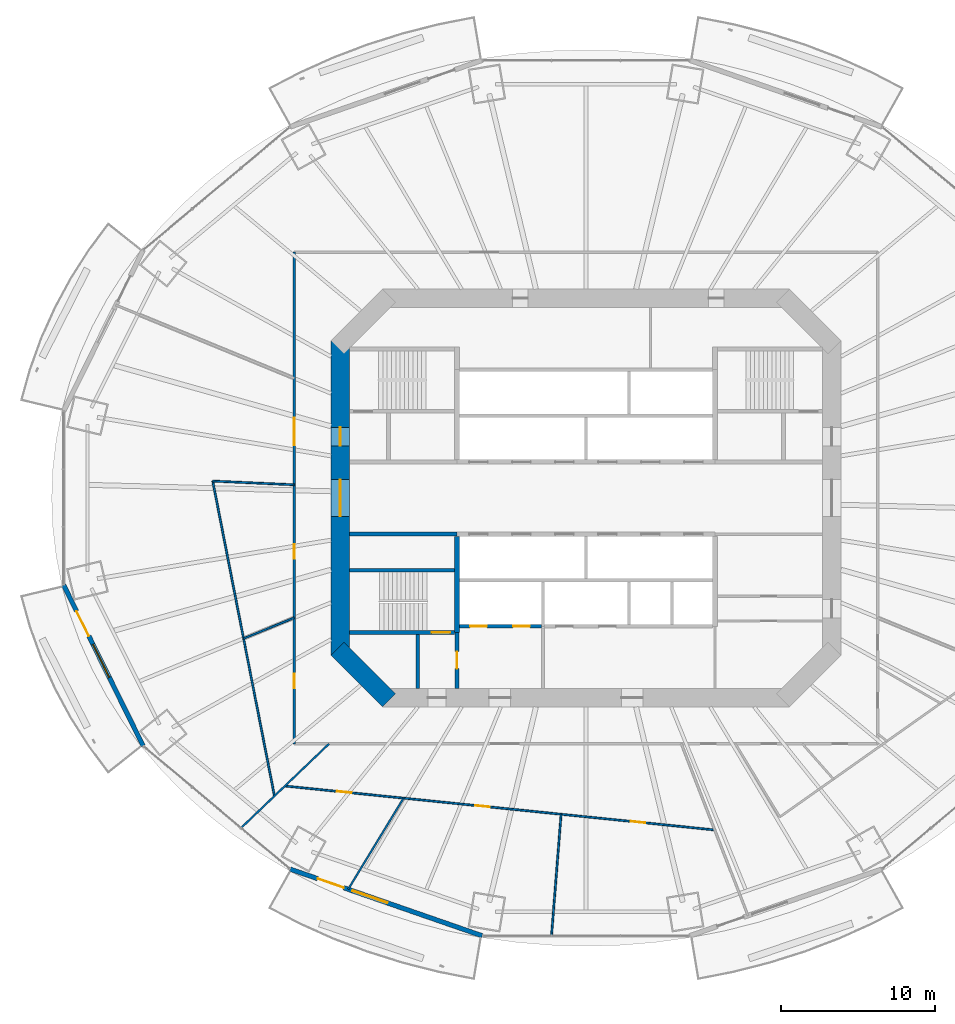
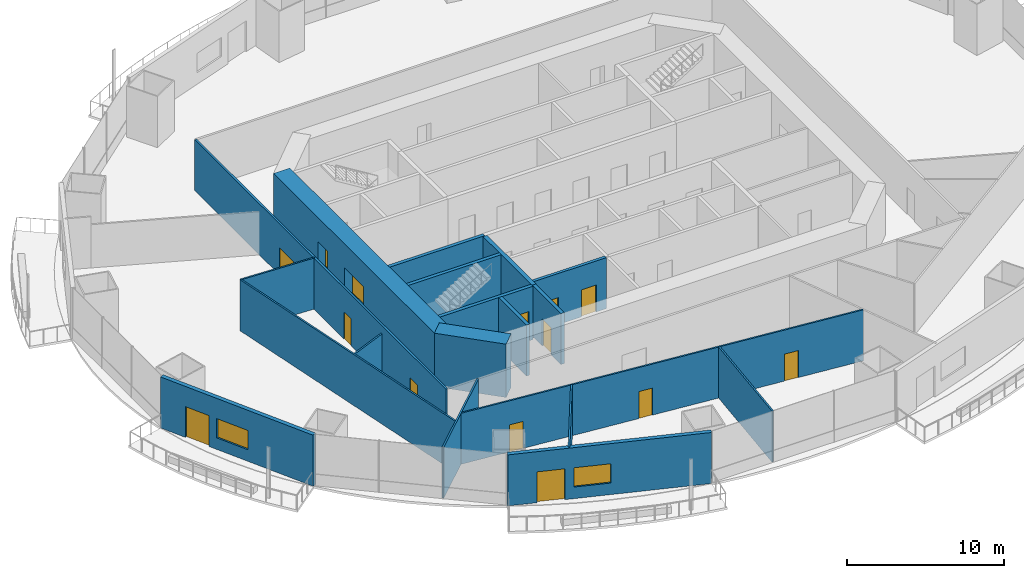
# One storey, part 13 of 22: 19 walls, 14 doors, 2 windows, 16 openings.
"""IFC4 building model written with IfcOpenShell, lengths in metres."""

from ifc_helpers import new_model, si_unit, direction, frame, frame_2d, origin, place, context, subcontext, project, spatial, rectangle, extrude, material, layer, layer_set, type_object, element, fill, save


model = new_model("IFC4")

# Units and contexts
model_context = context("Model", 3, precision=1e-05, world=origin(), true_north=direction((0.0, 1.0)))
body_context = subcontext(model_context, "Body", "Model", "MODEL_VIEW")
ifc_project = project(units=[si_unit("LENGTHUNIT", "METRE"), si_unit("AREAUNIT", "SQUARE_METRE"), si_unit("VOLUMEUNIT", "CUBIC_METRE"), si_unit("PLANEANGLEUNIT", "RADIAN"), si_unit("MASSUNIT", "GRAM", prefix="KILO")], contexts=[model_context])

# Site, building, storey
site_placement = place(None, origin())
site = spatial("IfcSite", under=ifc_project, at=site_placement, CompositionType="ELEMENT")
building_placement = place(site_placement, origin())
building = spatial("IfcBuilding", under=site, at=building_placement, Name="Marenthal Gate Tower", CompositionType="ELEMENT")
storey_placement = place(building_placement, frame((0.0, 0.0, 95.25)))
storey = spatial("IfcBuildingStorey", under=building, at=storey_placement, Name="L19", CompositionType="ELEMENT", Elevation=95.25)

# Wall, openings, doors
ifc_material_1 = material(Name="Concrete 60 MPa", Category="concrete")
ifc_layer_1 = layer(ifc_material_1, 1.199951171875)
ifc_layer_set_1 = layer_set([ifc_layer_1], Name="Core shear wall 1200")
wall_type_1 = type_object("IfcWallType", Name="Core shear wall 1200", PredefinedType="SHEAR", material=ifc_layer_set_1)
wall_1_placement = place(storey_placement, frame((-16.0, 10.24853515625, -0.179931640625), z_axis=(0.0, 0.0, 1.0), x_axis=(0.0, -1.0, 0.0)))
wall_1 = element("IfcWall", 1, at=wall_1_placement, inside=storey, type_object=wall_type_1, Name="Core wall 06", PredefinedType="SHEAR", context=body_context, shape_type="SweptSolid", body=[
    extrude(rectangle(XDim=20.4970703125, YDim=1.199951171875, at=frame_2d((10.24853515625, 0.0))), origin(), (0.0, 0.0, 1.0), 4.14990234375),
])
opening_1_placement = place(wall_1_placement, frame((9.048583984375, 0.0, 0.179931640625)))
opening_1 = element("IfcOpeningElement", 2, at=opening_1_placement, cuts=wall_1, Name="Opening D003.01", PredefinedType="OPENING", context=body_context, shape_type="SweptSolid", body=[
    extrude(rectangle(XDim=2.39990234375, YDim=2.10009765625, at=frame_2d((1.199951171875, 1.050048828125))), frame((0.0, 0.60986328125, 0.0), z_axis=(0.0, -1.0, 0.0), x_axis=(1.0, 0.0, 0.0)), (0.0, 0.0, 1.0), 1.219970703125),
])
opening_2_placement = place(wall_1_placement, frame((5.6484375, 0.0, 0.179931640625)))
opening_2 = element("IfcOpeningElement", 3, at=opening_2_placement, cuts=wall_1, Name="Opening D001.04", PredefinedType="OPENING", context=body_context, shape_type="SweptSolid", body=[
    extrude(rectangle(XDim=1.199951171875, YDim=2.10009765625, at=frame_2d((0.60009765625, 1.050048828125))), frame((0.0, 0.60986328125, 0.0), z_axis=(0.0, -1.0, 0.0), x_axis=(1.0, 0.0, 0.0)), (0.0, 0.0, 1.0), 1.219970703125),
])
ifc_material_2 = material(Name="Steel fire door", Category="steel")
door_type_1 = type_object("IfcDoorType", Name="Double fire door FD 45 2400 x 2100", OperationType="DOUBLE_DOOR_SINGLE_SWING", PredefinedType="DOOR", material=ifc_material_2)
door_1_placement = place(opening_1_placement, origin())
door_1 = element("IfcDoor", 4, at=door_1_placement, inside=storey, type_object=door_type_1, Name="Door D003.01", OperationType="DOUBLE_DOOR_SINGLE_SWING", OverallHeight=2.10009765625, OverallWidth=2.39990234375, PredefinedType="DOOR", context=body_context, shape_type="SweptSolid", body=[
    extrude(rectangle(XDim=2.39990234375, YDim=2.10009765625, at=frame_2d((1.199951171875, 1.050048828125))), frame((0.0, 0.02490234375, 0.0), z_axis=(0.0, -1.0, 0.0), x_axis=(1.0, 0.0, 0.0)), (0.0, 0.0, 1.0), 0.050048828125),
])
fill(opening_1, door_1)
ifc_material_3 = material(Name="Steel fire door", Category="steel")
door_type_2 = type_object("IfcDoorType", Name="Fire door FD 90 1200 x 2100", OperationType="NOTDEFINED", PredefinedType="DOOR", material=ifc_material_3)
door_2_placement = place(opening_2_placement, origin())
door_2 = element("IfcDoor", 5, at=door_2_placement, inside=storey, type_object=door_type_2, Name="Door D001.04", OperationType="SINGLE_SWING_RIGHT", OverallHeight=2.10009765625, OverallWidth=1.199951171875, PredefinedType="DOOR", context=body_context, shape_type="SweptSolid", body=[
    extrude(rectangle(XDim=1.199951171875, YDim=2.10009765625, at=frame_2d((0.60009765625, 1.050048828125))), frame((0.0, 0.02490234375, 0.0), z_axis=(0.0, -1.0, 0.0), x_axis=(1.0, 0.0, 0.0)), (0.0, 0.0, 1.0), 0.050048828125),
])
fill(opening_2, door_2)

# Walls
wall_2_placement = place(storey_placement, frame((-16.17578125, -9.82421875, -0.179931640625), z_axis=(0.0, 0.0, 1.0), x_axis=(0.707106781187, -0.707106781187, 0.0)))
element("IfcWall", 6, at=wall_2_placement, inside=storey, type_object=wall_type_1, Name="Core wall 07", PredefinedType="SHEAR", context=body_context, shape_type="SweptSolid", body=[
    extrude(rectangle(XDim=4.73974609375, YDim=1.199951171875, at=frame_2d((2.369873046875, 0.0))), origin(), (0.0, 0.0, 1.0), 4.14990234375),
])
ifc_material_4 = material(Name="Concrete 50 MPa", Category="concrete")
ifc_layer_2 = layer(ifc_material_4, 0.300048828125)
ifc_layer_set_2 = layer_set([ifc_layer_2], Name="Hoistway shear wall 300")
wall_type_2 = type_object("IfcWallType", Name="Hoistway shear wall 300", PredefinedType="SHEAR", material=ifc_layer_set_2)
wall_3_placement = place(storey_placement, frame((-8.39990234375, -8.75, -0.179931640625), z_axis=(0.0, 0.0, 1.0), x_axis=(0.0, 1.0, 0.0)))
element("IfcWall", 7, at=wall_3_placement, inside=storey, type_object=wall_type_2, Name="Hoistway wall 31", PredefinedType="SHEAR", context=body_context, shape_type="SweptSolid", body=[
    extrude(rectangle(XDim=6.25, YDim=0.300048828125, at=frame_2d((3.125, 0.0))), origin(), (0.0, 0.0, 1.0), 4.14990234375),
])

# Wall, openings, doors
ifc_material_5 = material(Name="Concrete 40 MPa", Category="concrete")
ifc_layer_3 = layer(ifc_material_5, 0.219970703125)
ifc_layer_set_3 = layer_set([ifc_layer_3], Name="Hoistway wall 220")
wall_type_3 = type_object("IfcWallType", Name="Hoistway wall 220", PredefinedType="STANDARD", material=ifc_layer_set_3)
wall_4_placement = place(storey_placement, frame((-8.25, -8.35009765625, 0.0), z_axis=(0.0, 0.0, 1.0), x_axis=(1.0, 0.0, 0.0)))
wall_4 = element("IfcWall", 8, at=wall_4_placement, inside=storey, type_object=wall_type_3, Name="Hoistway wall 10", PredefinedType="STANDARD", context=body_context, shape_type="SweptSolid", body=[
    extrude(rectangle(XDim=5.340087890625, YDim=0.219970703125, at=frame_2d((2.669921875, 0.0))), origin(), (0.0, 0.0, 1.0), 3.969970703125),
])
opening_3_placement = place(wall_4_placement, frame((0.699951171875, 0.0, 0.0)))
opening_3 = element("IfcOpeningElement", 9, at=opening_3_placement, cuts=wall_4, Name="Opening LD-LF1", PredefinedType="OPENING", context=body_context, shape_type="SweptSolid", body=[
    extrude(rectangle(XDim=1.10009765625, YDim=2.10009765625, at=frame_2d((0.550048828125, 1.050048828125))), frame((0.0, 0.1201171875, 0.0), z_axis=(0.0, -1.0, 0.0), x_axis=(1.0, 0.0, 0.0)), (0.0, 0.0, 1.0), 0.239990234375),
])
opening_4_placement = place(wall_4_placement, frame((3.5, 0.0, 0.0)))
opening_4 = element("IfcOpeningElement", 10, at=opening_4_placement, cuts=wall_4, Name="Opening LD-LF2", PredefinedType="OPENING", context=body_context, shape_type="SweptSolid", body=[
    extrude(rectangle(XDim=1.10009765625, YDim=2.10009765625, at=frame_2d((0.550048828125, 1.050048828125))), frame((0.0, 0.1201171875, 0.0), z_axis=(0.0, -1.0, 0.0), x_axis=(1.0, 0.0, 0.0)), (0.0, 0.0, 1.0), 0.239990234375),
])
ifc_material_6 = material(Name="Stainless steel sliding door", Category="steel")
door_type_3 = type_object("IfcDoorType", Name="Lift landing door FD 90 1100 x 2100", OperationType="DOUBLE_DOOR_SLIDING", PredefinedType="DOOR", material=ifc_material_6)
door_3_placement = place(opening_3_placement, origin())
door_3 = element("IfcDoor", 11, at=door_3_placement, inside=storey, type_object=door_type_3, Name="Lift landing door LF1", OperationType="DOUBLE_DOOR_SLIDING", OverallHeight=2.10009765625, OverallWidth=1.10009765625, PredefinedType="DOOR", context=body_context, shape_type="SweptSolid", body=[
    extrude(rectangle(XDim=1.10009765625, YDim=2.10009765625, at=frame_2d((0.550048828125, 1.050048828125))), frame((0.0, 0.02490234375, 0.0), z_axis=(0.0, -1.0, 0.0), x_axis=(1.0, 0.0, 0.0)), (0.0, 0.0, 1.0), 0.050048828125),
])
fill(opening_3, door_3)
door_4_placement = place(opening_4_placement, origin())
door_4 = element("IfcDoor", 12, at=door_4_placement, inside=storey, type_object=door_type_3, Name="Lift landing door LF2", OperationType="DOUBLE_DOOR_SLIDING", OverallHeight=2.10009765625, OverallWidth=1.10009765625, PredefinedType="DOOR", context=body_context, shape_type="SweptSolid", body=[
    extrude(rectangle(XDim=1.10009765625, YDim=2.10009765625, at=frame_2d((0.550048828125, 1.050048828125))), frame((0.0, 0.02490234375, 0.0), z_axis=(0.0, -1.0, 0.0), x_axis=(1.0, 0.0, 0.0)), (0.0, 0.0, 1.0), 0.050048828125),
])
fill(opening_4, door_4)

# Walls
ifc_material_7 = material(Name="Gypsum board on steel studs", Category="steel")
ifc_layer_4 = layer(ifc_material_7, 0.1201171875)
ifc_layer_set_4 = layer_set([ifc_layer_4], Name="Partition 120")
wall_type_4 = type_object("IfcWallType", Name="Partition 120", PredefinedType="PARTITIONING", material=ifc_layer_set_4)
wall_5_placement = place(storey_placement, frame((-24.29931640625, 1.1015625, 0.0), z_axis=(0.0, 0.0, 1.0), x_axis=(0.192428584769, -0.98131098015, 0.0)))
element("IfcWall", 13, at=wall_5_placement, inside=storey, type_object=wall_type_4, Name="Partition wall 47", PredefinedType="PARTITIONING", context=body_context, shape_type="SweptSolid", body=[
    extrude(rectangle(XDim=20.888427734375, YDim=0.1201171875, at=frame_2d((10.4443359375, 0.0))), origin(), (0.0, 0.0, 1.0), 3.969970703125),
])
wall_6_placement = place(storey_placement, frame((-24.29931640625, 1.1015625, 0.0), z_axis=(0.0, 0.0, 1.0), x_axis=(0.998974036647, -0.045286577539, 0.0)))
element("IfcWall", 14, at=wall_6_placement, inside=storey, type_object=wall_type_4, Name="Partition wall 48", PredefinedType="PARTITIONING", context=body_context, shape_type="SweptSolid", body=[
    extrude(rectangle(XDim=5.3046875, YDim=0.1201171875, at=frame_2d((2.65234375, 0.0))), origin(), (0.0, 0.0, 1.0), 3.969970703125),
])
wall_7_placement = place(storey_placement, frame((-22.28955078125, -9.1474609375, 0.0), z_axis=(0.0, 0.0, 1.0), x_axis=(0.92513955931, 0.379627180008, 0.0)))
element("IfcWall", 15, at=wall_7_placement, inside=storey, type_object=wall_type_4, Name="Partition wall 49", PredefinedType="PARTITIONING", context=body_context, shape_type="SweptSolid", body=[
    extrude(rectangle(XDim=3.5556640625, YDim=0.1201171875, at=frame_2d((1.77783203125, 0.0))), origin(), (0.0, 0.0, 1.0), 3.35791015625),
])

# Wall, openings, doors
wall_8_placement = place(storey_placement, frame((-19.6005859375, -18.746826171875, 0.0), z_axis=(0.0, 0.0, 1.0), x_axis=(0.994814570483, -0.101705311343, 0.0)))
wall_8 = element("IfcWall", 16, at=wall_8_placement, inside=storey, type_object=wall_type_4, Name="Partition wall 50", PredefinedType="PARTITIONING", context=body_context, shape_type="SweptSolid", body=[
    extrude(rectangle(XDim=28.126220703125, YDim=0.1201171875, at=frame_2d((14.06298828125, 0.0))), origin(), (0.0, 0.0, 1.0), 3.969970703125),
])
opening_5_placement = place(wall_8_placement, frame((3.406982421875, 0.0, 0.0)))
opening_5 = element("IfcOpeningElement", 17, at=opening_5_placement, cuts=wall_8, Name="Opening D016.03", PredefinedType="OPENING", context=body_context, shape_type="SweptSolid", body=[
    extrude(rectangle(XDim=0.949951171875, YDim=2.10009765625, at=frame_2d((0.47509765625, 1.050048828125))), frame((0.0, 0.070068359375, 0.0), z_axis=(0.0, -1.0, 0.0), x_axis=(1.0, 0.0, 0.0)), (0.0, 0.0, 1.0), 0.14013671875),
])
opening_6_placement = place(wall_8_placement, frame((12.444091796875, 0.0, 0.0)))
opening_6 = element("IfcOpeningElement", 18, at=opening_6_placement, cuts=wall_8, Name="Opening D016.04", PredefinedType="OPENING", context=body_context, shape_type="SweptSolid", body=[
    extrude(rectangle(XDim=0.949951171875, YDim=2.10009765625, at=frame_2d((0.47509765625, 1.050048828125))), frame((0.0, 0.070068359375, 0.0), z_axis=(0.0, -1.0, 0.0), x_axis=(1.0, 0.0, 0.0)), (0.0, 0.0, 1.0), 0.14013671875),
])
opening_7_placement = place(wall_8_placement, frame((22.625, 0.0, 0.0)))
opening_7 = element("IfcOpeningElement", 19, at=opening_7_placement, cuts=wall_8, Name="Opening D016.05", PredefinedType="OPENING", context=body_context, shape_type="SweptSolid", body=[
    extrude(rectangle(XDim=0.949951171875, YDim=2.10009765625, at=frame_2d((0.47509765625, 1.050048828125))), frame((0.0, 0.070068359375, 0.0), z_axis=(0.0, -1.0, 0.0), x_axis=(1.0, 0.0, 0.0)), (0.0, 0.0, 1.0), 0.14013671875),
])
ifc_material_8 = material(Name="Timber door", Category="wood")
door_type_4 = type_object("IfcDoorType", Name="Door 950 x 2100", OperationType="NOTDEFINED", PredefinedType="DOOR", material=ifc_material_8)
door_5_placement = place(opening_5_placement, frame((0.949951171875, 0.0, 0.0), z_axis=(0.0, 0.0, 1.0), x_axis=(-1.0, 0.0, 0.0)))
door_5 = element("IfcDoor", 20, at=door_5_placement, inside=storey, type_object=door_type_4, Name="Door D016.03", OperationType="SINGLE_SWING_LEFT", OverallHeight=2.10009765625, OverallWidth=0.949951171875, PredefinedType="DOOR", context=body_context, shape_type="SweptSolid", body=[
    extrude(rectangle(XDim=0.949951171875, YDim=2.10009765625, at=frame_2d((0.47509765625, 1.050048828125))), frame((0.0, 0.02490234375, 0.0), z_axis=(0.0, -1.0, 0.0), x_axis=(1.0, 0.0, 0.0)), (0.0, 0.0, 1.0), 0.050048828125),
])
fill(opening_5, door_5)
door_6_placement = place(opening_6_placement, frame((0.949951171875, 0.0, 0.0), z_axis=(0.0, 0.0, 1.0), x_axis=(-1.0, 0.0, 0.0)))
door_6 = element("IfcDoor", 21, at=door_6_placement, inside=storey, type_object=door_type_4, Name="Door D016.04", OperationType="SINGLE_SWING_LEFT", OverallHeight=2.10009765625, OverallWidth=0.949951171875, PredefinedType="DOOR", context=body_context, shape_type="SweptSolid", body=[
    extrude(rectangle(XDim=0.949951171875, YDim=2.10009765625, at=frame_2d((0.47509765625, 1.050048828125))), frame((0.0, 0.02490234375, 0.0), z_axis=(0.0, -1.0, 0.0), x_axis=(1.0, 0.0, 0.0)), (0.0, 0.0, 1.0), 0.050048828125),
])
fill(opening_6, door_6)
door_7_placement = place(opening_7_placement, frame((0.949951171875, 0.0, 0.0), z_axis=(0.0, 0.0, 1.0), x_axis=(-1.0, 0.0, 0.0)))
door_7 = element("IfcDoor", 22, at=door_7_placement, inside=storey, type_object=door_type_4, Name="Door D016.05", OperationType="SINGLE_SWING_LEFT", OverallHeight=2.10009765625, OverallWidth=0.949951171875, PredefinedType="DOOR", context=body_context, shape_type="SweptSolid", body=[
    extrude(rectangle(XDim=0.949951171875, YDim=2.10009765625, at=frame_2d((0.47509765625, 1.050048828125))), frame((0.0, 0.02490234375, 0.0), z_axis=(0.0, -1.0, 0.0), x_axis=(1.0, 0.0, 0.0)), (0.0, 0.0, 1.0), 0.050048828125),
])
fill(opening_7, door_7)

# Walls
wall_9_placement = place(storey_placement, frame((-16.728515625, -16.0, 0.0), z_axis=(0.0, 0.0, 1.0), x_axis=(-0.722671289977, -0.69119187397, 0.0)))
element("IfcWall", 23, at=wall_9_placement, inside=storey, type_object=wall_type_4, Name="Partition wall 54", PredefinedType="PARTITIONING", context=body_context, shape_type="SweptSolid", body=[
    extrude(rectangle(XDim=7.92626953125, YDim=0.1201171875, at=frame_2d((3.963134765625, 0.0))), origin(), (0.0, 0.0, 1.0), 3.969970703125),
])
wall_10_placement = place(storey_placement, frame((-15.481689453125, -25.468505859375, 0.0), z_axis=(0.0, 0.0, 1.0), x_axis=(0.519421340377, 0.854518268477, 0.0)))
element("IfcWall", 24, at=wall_10_placement, inside=storey, type_object=wall_type_4, Name="Partition wall 55", PredefinedType="PARTITIONING", context=body_context, shape_type="SweptSolid", body=[
    extrude(rectangle(XDim=6.94189453125, YDim=0.1201171875, at=frame_2d((3.470947265625, 0.0))), origin(), (0.0, 0.0, 1.0), 3.969970703125),
])
wall_11_placement = place(storey_placement, frame((-2.244384765625, -28.494873046875, 0.0), z_axis=(0.0, 0.0, 1.0), x_axis=(0.07852464167, 0.996912172987, 0.0)))
element("IfcWall", 25, at=wall_11_placement, inside=storey, type_object=wall_type_4, Name="Partition wall 56", PredefinedType="PARTITIONING", context=body_context, shape_type="SweptSolid", body=[
    extrude(rectangle(XDim=7.934326171875, YDim=0.1201171875, at=frame_2d((3.96728515625, 0.0))), origin(), (0.0, 0.0, 1.0), 3.969970703125),
])

# Wall, openings, doors
ifc_material_9 = material(Name="Gypsum board on steel studs", Category="steel")
ifc_layer_5 = layer(ifc_material_9, 0.14990234375)
ifc_layer_set_5 = layer_set([ifc_layer_5], Name="Partition 150")
wall_type_5 = type_object("IfcWallType", Name="Partition 150", PredefinedType="PARTITIONING", material=ifc_layer_set_5)
wall_12_placement = place(storey_placement, frame((-19.0, -16.0, 0.0), z_axis=(0.0, 0.0, 1.0), x_axis=(0.0, 1.0, 0.0)))
wall_12 = element("IfcWall", 26, at=wall_12_placement, inside=storey, type_object=wall_type_5, Name="Partition wall 51", PredefinedType="PARTITIONING", context=body_context, shape_type="SweptSolid", body=[
    extrude(rectangle(XDim=32.0, YDim=0.14990234375, at=frame_2d((16.0, 0.0))), origin(), (0.0, 0.0, 1.0), 3.969970703125),
])
opening_8_placement = place(wall_12_placement, frame((12.056884765625, 0.0, 0.0)))
opening_8 = element("IfcOpeningElement", 27, at=opening_8_placement, cuts=wall_12, Name="Opening D016.01", PredefinedType="OPENING", context=body_context, shape_type="SweptSolid", body=[
    extrude(rectangle(XDim=0.949951171875, YDim=2.10009765625, at=frame_2d((0.47509765625, 1.050048828125))), frame((0.0, 0.0849609375, 0.0), z_axis=(0.0, -1.0, 0.0), x_axis=(1.0, 0.0, 0.0)), (0.0, 0.0, 1.0), 0.169921875),
])
opening_9_placement = place(wall_12_placement, frame((3.6259765625, 0.0, 0.0)))
opening_9 = element("IfcOpeningElement", 28, at=opening_9_placement, cuts=wall_12, Name="Opening D016.02", PredefinedType="OPENING", context=body_context, shape_type="SweptSolid", body=[
    extrude(rectangle(XDim=0.949951171875, YDim=2.10009765625, at=frame_2d((0.47509765625, 1.050048828125))), frame((0.0, 0.0849609375, 0.0), z_axis=(0.0, -1.0, 0.0), x_axis=(1.0, 0.0, 0.0)), (0.0, 0.0, 1.0), 0.169921875),
])
opening_10_placement = place(wall_12_placement, frame((19.427978515625, 0.0, 0.0)))
opening_10 = element("IfcOpeningElement", 29, at=opening_10_placement, cuts=wall_12, Name="Opening D014.02", PredefinedType="OPENING", context=body_context, shape_type="SweptSolid", body=[
    extrude(rectangle(XDim=1.800048828125, YDim=2.10009765625, at=frame_2d((0.89990234375, 1.050048828125))), frame((0.0, 0.0849609375, 0.0), z_axis=(0.0, -1.0, 0.0), x_axis=(1.0, 0.0, 0.0)), (0.0, 0.0, 1.0), 0.169921875),
])
door_8_placement = place(opening_8_placement, origin())
door_8 = element("IfcDoor", 30, at=door_8_placement, inside=storey, type_object=door_type_4, Name="Door D016.01", OperationType="SINGLE_SWING_RIGHT", OverallHeight=2.10009765625, OverallWidth=0.949951171875, PredefinedType="DOOR", context=body_context, shape_type="SweptSolid", body=[
    extrude(rectangle(XDim=0.949951171875, YDim=2.10009765625, at=frame_2d((0.47509765625, 1.050048828125))), frame((0.0, 0.02490234375, 0.0), z_axis=(0.0, -1.0, 0.0), x_axis=(1.0, 0.0, 0.0)), (0.0, 0.0, 1.0), 0.050048828125),
])
fill(opening_8, door_8)
door_9_placement = place(opening_9_placement, origin())
door_9 = element("IfcDoor", 31, at=door_9_placement, inside=storey, type_object=door_type_4, Name="Door D016.02", OperationType="SINGLE_SWING_RIGHT", OverallHeight=2.10009765625, OverallWidth=0.949951171875, PredefinedType="DOOR", context=body_context, shape_type="SweptSolid", body=[
    extrude(rectangle(XDim=0.949951171875, YDim=2.10009765625, at=frame_2d((0.47509765625, 1.050048828125))), frame((0.0, 0.02490234375, 0.0), z_axis=(0.0, -1.0, 0.0), x_axis=(1.0, 0.0, 0.0)), (0.0, 0.0, 1.0), 0.050048828125),
])
fill(opening_9, door_9)
ifc_material_10 = material(Name="Timber door", Category="wood")
door_type_5 = type_object("IfcDoorType", Name="Double door 1800 x 2100", OperationType="DOUBLE_DOOR_SINGLE_SWING", PredefinedType="DOOR", material=ifc_material_10)
door_10_placement = place(opening_10_placement, origin())
door_10 = element("IfcDoor", 32, at=door_10_placement, inside=storey, type_object=door_type_5, Name="Door D014.02", OperationType="DOUBLE_DOOR_SINGLE_SWING", OverallHeight=2.10009765625, OverallWidth=1.800048828125, PredefinedType="DOOR", context=body_context, shape_type="SweptSolid", body=[
    extrude(rectangle(XDim=1.800048828125, YDim=2.10009765625, at=frame_2d((0.89990234375, 1.050048828125))), frame((0.0, 0.02490234375, 0.0), z_axis=(0.0, -1.0, 0.0), x_axis=(1.0, 0.0, 0.0)), (0.0, 0.0, 1.0), 0.050048828125),
])
fill(opening_10, door_10)

# Walls
ifc_material_11 = material(Name="Concrete 40 MPa", Category="concrete")
ifc_layer_6 = layer(ifc_material_11, 0.25)
ifc_layer_set_6 = layer_set([ifc_layer_6], Name="Stair enclosure wall 250")
wall_type_6 = type_object("IfcWallType", Name="Stair enclosure wall 250", PredefinedType="STANDARD", material=ifc_layer_set_6)
wall_13_placement = place(storey_placement, frame((-15.39990234375, -2.35009765625, 0.0), z_axis=(0.0, 0.0, 1.0), x_axis=(1.0, 0.0, 0.0)))
element("IfcWall", 33, at=wall_13_placement, inside=storey, type_object=wall_type_6, Name="Stair wall 16", PredefinedType="STANDARD", context=body_context, shape_type="SweptSolid", body=[
    extrude(rectangle(XDim=7.0, YDim=0.25, at=frame_2d((3.5, 0.0))), origin(), (0.0, 0.0, 1.0), 3.969970703125),
])
wall_14_placement = place(storey_placement, frame((-10.949951171875, -12.39990234375, 0.0), z_axis=(0.0, 0.0, 1.0), x_axis=(0.0, 1.0, 0.0)))
element("IfcWall", 34, at=wall_14_placement, inside=storey, type_object=wall_type_6, Name="Stair wall 29", PredefinedType="STANDARD", context=body_context, shape_type="SweptSolid", body=[
    extrude(rectangle(XDim=3.52490234375, YDim=0.25, at=frame_2d((1.762451171875, 0.0))), origin(), (0.0, 0.0, 1.0), 3.969970703125),
])

# Wall, opening, door
wall_15_placement = place(storey_placement, frame((-8.39990234375, -12.39990234375, 0.0), z_axis=(0.0, 0.0, 1.0), x_axis=(0.0, 1.0, 0.0)))
wall_15 = element("IfcWall", 35, at=wall_15_placement, inside=storey, type_object=wall_type_6, Name="Stair wall 30", PredefinedType="STANDARD", context=body_context, shape_type="SweptSolid", body=[
    extrude(rectangle(XDim=3.64990234375, YDim=0.25, at=frame_2d((1.824951171875, 0.0))), origin(), (0.0, 0.0, 1.0), 3.969970703125),
])
opening_11_placement = place(wall_15_placement, frame((1.300048828125, 0.0, 0.0)))
opening_11 = element("IfcOpeningElement", 36, at=opening_11_placement, cuts=wall_15, Name="Opening D002.01", PredefinedType="OPENING", context=body_context, shape_type="SweptSolid", body=[
    extrude(rectangle(XDim=1.10009765625, YDim=2.10009765625, at=frame_2d((0.550048828125, 1.050048828125))), frame((0.0, 0.135009765625, 0.0), z_axis=(0.0, -1.0, 0.0), x_axis=(1.0, 0.0, 0.0)), (0.0, 0.0, 1.0), 0.27001953125),
])
ifc_material_12 = material(Name="Steel fire door", Category="steel")
door_type_6 = type_object("IfcDoorType", Name="Fire door FD 90 1100 x 2100", OperationType="NOTDEFINED", PredefinedType="DOOR", material=ifc_material_12)
door_11_placement = place(opening_11_placement, origin())
door_11 = element("IfcDoor", 37, at=door_11_placement, inside=storey, type_object=door_type_6, Name="Door D002.01", OperationType="SINGLE_SWING_RIGHT", OverallHeight=2.10009765625, OverallWidth=1.10009765625, PredefinedType="DOOR", context=body_context, shape_type="SweptSolid", body=[
    extrude(rectangle(XDim=1.10009765625, YDim=2.10009765625, at=frame_2d((0.550048828125, 1.050048828125))), frame((0.0, 0.02490234375, 0.0), z_axis=(0.0, -1.0, 0.0), x_axis=(1.0, 0.0, 0.0)), (0.0, 0.0, 1.0), 0.050048828125),
])
fill(opening_11, door_11)

ifc_material_13 = material(Name="Concrete 50 MPa", Category="concrete")
ifc_layer_7 = layer(ifc_material_13, 0.25)
ifc_layer_set_7 = layer_set([ifc_layer_7], Name="Stair shear wall 250")
wall_type_7 = type_object("IfcWallType", Name="Stair shear wall 250", PredefinedType="SHEAR", material=ifc_layer_set_7)
wall_16_placement = place(storey_placement, frame((-15.39990234375, -8.75, -0.179931640625), z_axis=(0.0, 0.0, 1.0), x_axis=(1.0, 0.0, 0.0)))
wall_16 = element("IfcWall", 38, at=wall_16_placement, inside=storey, type_object=wall_type_7, Name="Stair wall 09", PredefinedType="SHEAR", context=body_context, shape_type="SweptSolid", body=[
    extrude(rectangle(XDim=6.849853515625, YDim=0.25, at=frame_2d((3.4248046875, 0.0))), origin(), (0.0, 0.0, 1.0), 4.14990234375),
])
opening_12_placement = place(wall_16_placement, frame((5.35009765625, 0.0, 0.179931640625)))
opening_12 = element("IfcOpeningElement", 39, at=opening_12_placement, cuts=wall_16, Name="Opening D001.03", PredefinedType="OPENING", context=body_context, shape_type="SweptSolid", body=[
    extrude(rectangle(XDim=1.199951171875, YDim=2.10009765625, at=frame_2d((0.60009765625, 1.050048828125))), frame((0.0, 0.135009765625, 0.0), z_axis=(0.0, -1.0, 0.0), x_axis=(1.0, 0.0, 0.0)), (0.0, 0.0, 1.0), 0.27001953125),
])
door_12_placement = place(opening_12_placement, origin())
door_12 = element("IfcDoor", 40, at=door_12_placement, inside=storey, type_object=door_type_2, Name="Door D001.03", OperationType="SINGLE_SWING_RIGHT", OverallHeight=2.10009765625, OverallWidth=1.199951171875, PredefinedType="DOOR", context=body_context, shape_type="SweptSolid", body=[
    extrude(rectangle(XDim=1.199951171875, YDim=2.10009765625, at=frame_2d((0.60009765625, 1.050048828125))), frame((0.0, 0.02490234375, 0.0), z_axis=(0.0, -1.0, 0.0), x_axis=(1.0, 0.0, 0.0)), (0.0, 0.0, 1.0), 0.050048828125),
])
fill(opening_12, door_12)

# Wall
wall_17_placement = place(storey_placement, frame((-15.39990234375, -4.699951171875, -0.179931640625), z_axis=(0.0, 0.0, 1.0), x_axis=(1.0, 0.0, 0.0)))
element("IfcWall", 41, at=wall_17_placement, inside=storey, type_object=wall_type_7, Name="Stair wall 15", PredefinedType="SHEAR", context=body_context, shape_type="SweptSolid", body=[
    extrude(rectangle(XDim=6.849853515625, YDim=0.25, at=frame_2d((3.4248046875, 0.0))), origin(), (0.0, 0.0, 1.0), 4.14990234375),
])

# Wall, openings, door, window
ifc_material_14 = material(Name="Terracotta cladding on insulated concrete-block backing", Category="masonry")
ifc_layer_8 = layer(ifc_material_14, 0.300048828125)
ifc_layer_set_8 = layer_set([ifc_layer_8], Name="Terracotta facade wall 300")
wall_type_8 = type_object("IfcWallType", Name="Terracotta facade wall 300", PredefinedType="SOLIDWALL", material=ifc_layer_set_8)
wall_18_placement = place(storey_placement, frame((-34.001953125, -5.66796875, 0.0), z_axis=(0.0, 0.0, 1.0), x_axis=(0.4430961796, -0.896474079728, 0.0)))
wall_18 = element("IfcWall", 42, at=wall_18_placement, inside=storey, type_object=wall_type_8, Name="Terracotta facade wall L19 bay 9", PredefinedType="SOLIDWALL", context=body_context, shape_type="SweptSolid", body=[
    extrude(rectangle(XDim=11.6826171875, YDim=0.300048828125, at=frame_2d((5.84130859375, 0.0))), origin(), (0.0, 0.0, 1.0), 3.969970703125),
])
opening_13_placement = place(wall_18_placement, frame((1.89990234375, 0.0, 0.0)))
opening_13 = element("IfcOpeningElement", 43, at=opening_13_placement, cuts=wall_18, Name="Opening BD-L19-09", PredefinedType="OPENING", context=body_context, shape_type="SweptSolid", body=[
    extrude(rectangle(XDim=1.800048828125, YDim=2.39990234375, at=frame_2d((0.89990234375, 1.199951171875))), frame((0.0, 0.16015625, 0.0), z_axis=(0.0, -1.0, 0.0), x_axis=(1.0, 0.0, 0.0)), (0.0, 0.0, 1.0), 0.320068359375),
])
opening_14_placement = place(wall_18_placement, frame((4.300048828125, 0.0, 0.89990234375)))
opening_14 = element("IfcOpeningElement", 44, at=opening_14_placement, cuts=wall_18, Name="Opening WN1-L19-09", PredefinedType="OPENING", context=body_context, shape_type="SweptSolid", body=[
    extrude(rectangle(XDim=2.39990234375, YDim=1.5, at=frame_2d((1.199951171875, 0.75))), frame((0.0, 0.16015625, 0.0), z_axis=(0.0, -1.0, 0.0), x_axis=(1.0, 0.0, 0.0)), (0.0, 0.0, 1.0), 0.320068359375),
])
ifc_material_15 = material(Name="Aluminium and glass", Category="aluminium")
door_type_7 = type_object("IfcDoorType", Name="Balcony door 1800x2400", OperationType="DOUBLE_DOOR_SINGLE_SWING", PredefinedType="DOOR", material=ifc_material_15)
door_13_placement = place(opening_13_placement, origin())
door_13 = element("IfcDoor", 45, at=door_13_placement, inside=storey, type_object=door_type_7, Name="Balcony door L19 bay 9", OperationType="SINGLE_SWING_LEFT", OverallHeight=2.39990234375, OverallWidth=1.800048828125, PredefinedType="DOOR", context=body_context, shape_type="SweptSolid", body=[
    extrude(rectangle(XDim=1.800048828125, YDim=2.39990234375, at=frame_2d((0.89990234375, 1.199951171875))), frame((0.0, 0.02490234375, 0.0), z_axis=(0.0, -1.0, 0.0), x_axis=(1.0, 0.0, 0.0)), (0.0, 0.0, 1.0), 0.050048828125),
])
fill(opening_13, door_13)
ifc_material_16 = material(Name="Aluminium and glass", Category="aluminium")
window_type = type_object("IfcWindowType", Name="Window 2400x1500", PartitioningType="TRIPLE_PANEL_VERTICAL", PredefinedType="WINDOW", material=ifc_material_16)
window_1_placement = place(opening_14_placement, origin())
window_1 = element("IfcWindow", 46, at=window_1_placement, inside=storey, type_object=window_type, Name="Window L19 bay 9", OverallHeight=1.5, OverallWidth=2.39990234375, PartitioningType="SINGLE_PANEL", PredefinedType="WINDOW", context=body_context, shape_type="SweptSolid", body=[
    extrude(rectangle(XDim=2.39990234375, YDim=1.5, at=frame_2d((1.199951171875, 0.75))), frame((0.0, 0.030029296875, 0.0), z_axis=(0.0, -1.0, 0.0), x_axis=(1.0, 0.0, 0.0)), (0.0, 0.0, 1.0), 0.06005859375),
])
fill(opening_14, window_1)

wall_19_placement = place(storey_placement, frame((-19.260498046875, -24.15673828125, 0.0), z_axis=(0.0, 0.0, 1.0), x_axis=(0.944700030718, -0.327935743647, 0.0)))
wall_19 = element("IfcWall", 47, at=wall_19_placement, inside=storey, type_object=wall_type_8, Name="Terracotta facade wall L19 bay 11", PredefinedType="SOLIDWALL", context=body_context, shape_type="SweptSolid", body=[
    extrude(rectangle(XDim=13.228515625, YDim=0.300048828125, at=frame_2d((6.6142578125, 0.0))), origin(), (0.0, 0.0, 1.0), 3.969970703125),
])
opening_15_placement = place(wall_19_placement, frame((1.89990234375, 0.0, 0.0)))
opening_15 = element("IfcOpeningElement", 48, at=opening_15_placement, cuts=wall_19, Name="Opening BD-L19-11", PredefinedType="OPENING", context=body_context, shape_type="SweptSolid", body=[
    extrude(rectangle(XDim=1.800048828125, YDim=2.39990234375, at=frame_2d((0.89990234375, 1.199951171875))), frame((0.0, 0.16015625, 0.0), z_axis=(0.0, -1.0, 0.0), x_axis=(1.0, 0.0, 0.0)), (0.0, 0.0, 1.0), 0.320068359375),
])
opening_16_placement = place(wall_19_placement, frame((4.300048828125, 0.0, 0.89990234375)))
opening_16 = element("IfcOpeningElement", 49, at=opening_16_placement, cuts=wall_19, Name="Opening WN1-L19-11", PredefinedType="OPENING", context=body_context, shape_type="SweptSolid", body=[
    extrude(rectangle(XDim=2.39990234375, YDim=1.5, at=frame_2d((1.199951171875, 0.75))), frame((0.0, 0.16015625, 0.0), z_axis=(0.0, -1.0, 0.0), x_axis=(1.0, 0.0, 0.0)), (0.0, 0.0, 1.0), 0.320068359375),
])
door_14_placement = place(opening_15_placement, origin())
door_14 = element("IfcDoor", 50, at=door_14_placement, inside=storey, type_object=door_type_7, Name="Balcony door L19 bay 11", OperationType="SINGLE_SWING_LEFT", OverallHeight=2.39990234375, OverallWidth=1.800048828125, PredefinedType="DOOR", context=body_context, shape_type="SweptSolid", body=[
    extrude(rectangle(XDim=1.800048828125, YDim=2.39990234375, at=frame_2d((0.89990234375, 1.199951171875))), frame((0.0, 0.02490234375, 0.0), z_axis=(0.0, -1.0, 0.0), x_axis=(1.0, 0.0, 0.0)), (0.0, 0.0, 1.0), 0.050048828125),
])
fill(opening_15, door_14)
window_2_placement = place(opening_16_placement, origin())
window_2 = element("IfcWindow", 51, at=window_2_placement, inside=storey, type_object=window_type, Name="Window L19 bay 11", OverallHeight=1.5, OverallWidth=2.39990234375, PartitioningType="SINGLE_PANEL", PredefinedType="WINDOW", context=body_context, shape_type="SweptSolid", body=[
    extrude(rectangle(XDim=2.39990234375, YDim=1.5, at=frame_2d((1.199951171875, 0.75))), frame((0.0, 0.030029296875, 0.0), z_axis=(0.0, -1.0, 0.0), x_axis=(1.0, 0.0, 0.0)), (0.0, 0.0, 1.0), 0.06005859375),
])
fill(opening_16, window_2)

save(model, "model.ifc")
